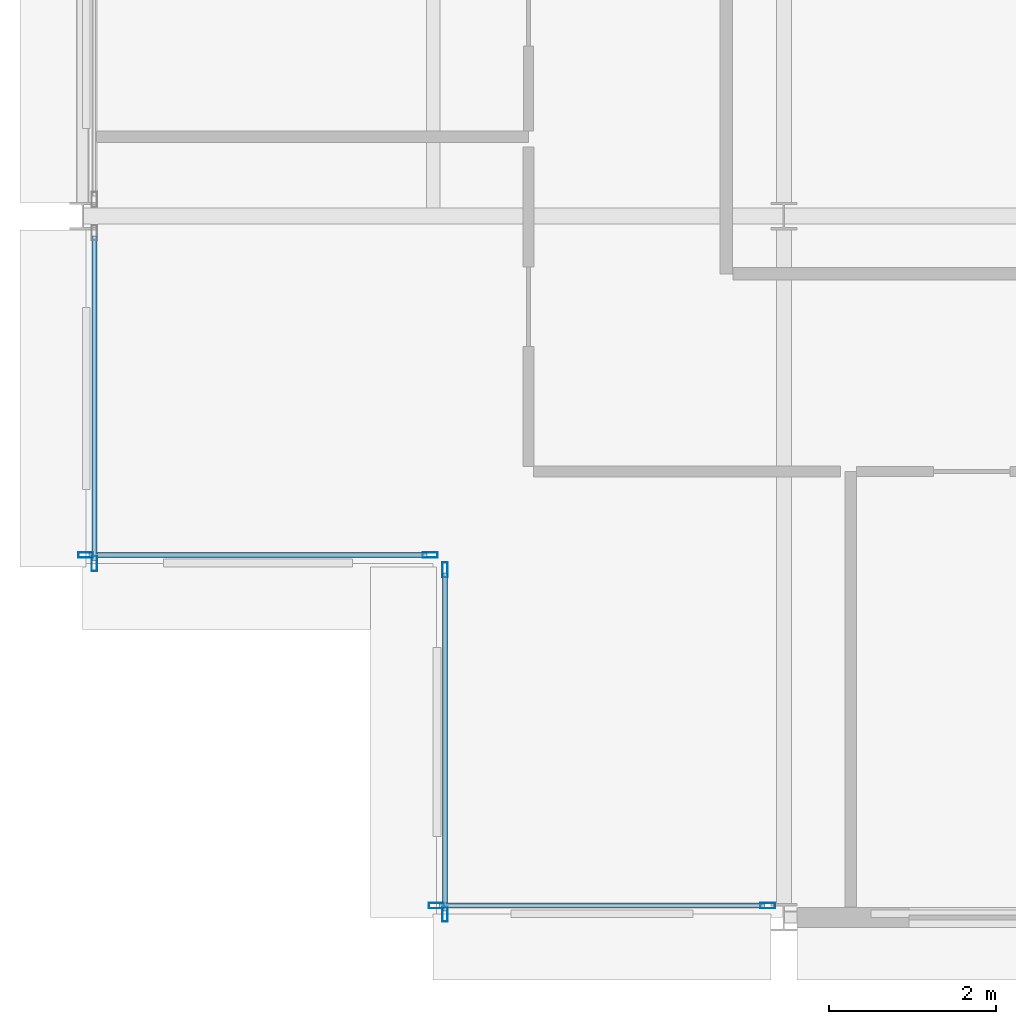
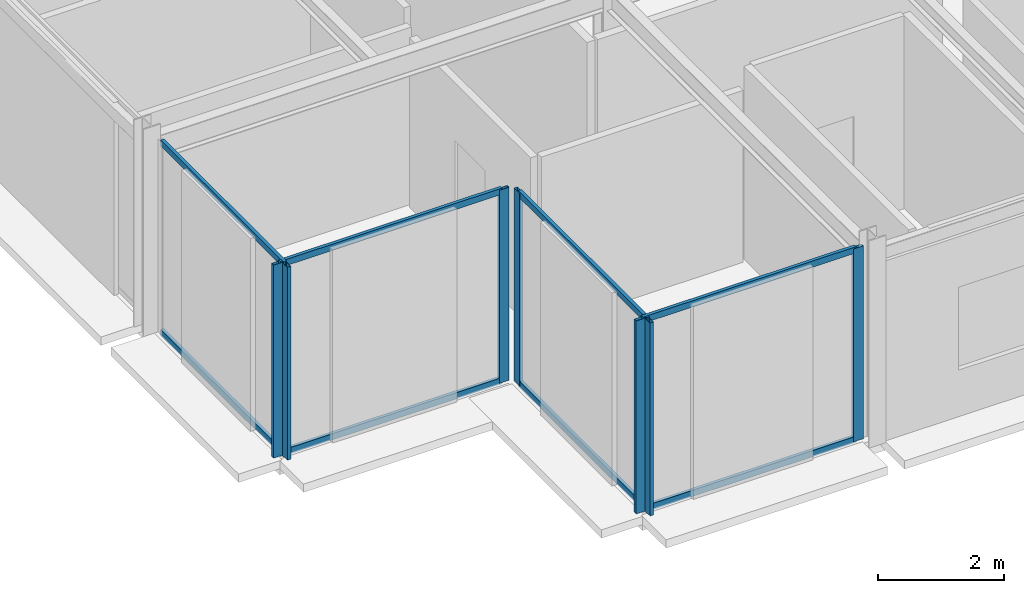
# One storey, part 3 of 27: 15 members, 4 elements without a shape of their own.
"""IFC4 building model written with IfcOpenShell, lengths in metres."""

import ifcopenshell
import ifcopenshell.guid

model = None  # the IFC model being written
_history = None  # IfcOwnerHistory: only IFC2X3 demands one
_inside = {}  # id of a spatial element -> (the spatial element, [elements in it])
_under = {}  # id of a project, library or spatial element -> (it, [spatial elements below it])
_declared = {}  # id of a project -> (the project, [libraries it declares])
_typed = {}  # id of a type object -> (the type object, [elements of that type])
_made_of = {}  # id of a material, layer set ... -> (it, [elements and type objects made of it])


def new_model(schema):
    """Start an empty IFC model of exactly this schema.

    Asked for "IFC4X3", IfcOpenShell would pick the latest addendum, in which some entities
    have other attributes; the version numbers below select the first issue.
    IFC2X3 requires an IfcOwnerHistory on every rooted entity: one is made here for all.
    """
    global model, _history
    if schema == "IFC4X3":
        model = ifcopenshell.file(schema_version=(4, 3, 0, 0))
    else:
        model = ifcopenshell.file(schema=schema)
    _inside.clear()
    _under.clear()
    _declared.clear()
    _typed.clear()
    _made_of.clear()
    _history = None
    if model.schema == "IFC2X3":
        org = make("IfcOrganization", Name="unknown")
        user = make(
            "IfcPersonAndOrganization",
            ThePerson=make("IfcPerson", FamilyName="unknown"),
            TheOrganization=org,
        )
        app = make(
            "IfcApplication",
            ApplicationDeveloper=org,
            Version="unknown",
            ApplicationFullName="unknown",
            ApplicationIdentifier="unknown",
        )
        _history = make(
            "IfcOwnerHistory",
            OwningUser=user,
            OwningApplication=app,
            ChangeAction="ADDED",
            CreationDate=0,
        )
    return model


def make(cls, **values):
    """One entity of the class cls with the attributes given. An attribute that is None is left unset."""
    return model.create_entity(
        cls, **{name: value for name, value in values.items() if value is not None}
    )


def rooted(cls, **values):
    """An entity with a GlobalId (a new one), such as an element, a storey or a relation."""
    return make(cls, GlobalId=ifcopenshell.guid.new(), OwnerHistory=_history, **values)


def si_unit(unit_type, name, prefix=None):
    """IfcSIUnit, for example si_unit("LENGTHUNIT", "METRE", prefix="MILLI")."""
    return make("IfcSIUnit", UnitType=unit_type, Prefix=prefix, Name=name)


def assignment(units):
    """IfcUnitAssignment: the units of a project."""
    return None if units is None else make("IfcUnitAssignment", Units=units)


def point(xyz):
    """IfcCartesianPoint."""
    return None if xyz is None else make("IfcCartesianPoint", Coordinates=xyz)


def direction(xyz):
    """IfcDirection."""
    return None if xyz is None else make("IfcDirection", DirectionRatios=xyz)


def frame(location, z_axis=None, x_axis=None):
    """IfcAxis2Placement3D, a coordinate frame: its origin and axes. An axis left out is left unset."""
    return make(
        "IfcAxis2Placement3D",
        Location=point(location),
        Axis=direction(z_axis),
        RefDirection=direction(x_axis),
    )


def frame_2d(location, x_axis=None):
    """IfcAxis2Placement2D, a coordinate frame in the plane: its origin and x axis."""
    return make(
        "IfcAxis2Placement2D", Location=point(location), RefDirection=direction(x_axis)
    )


def origin():
    """The frame at (0, 0, 0) with its axes left unset."""
    return frame((0.0, 0.0, 0.0))


def origin_2d():
    """The frame at (0, 0) in the plane with its x axis left unset."""
    return frame_2d((0.0, 0.0))


def place(relative_to, where):
    """IfcLocalPlacement: puts the frame where relative to a parent placement (None: the world)."""
    return make(
        "IfcLocalPlacement", PlacementRelTo=relative_to, RelativePlacement=where
    )


def context(
    kind, dimensions, precision=None, world=None, true_north=None, identifier=None
):
    """IfcGeometricRepresentationContext, for example the 3D "Model" context."""
    return make(
        "IfcGeometricRepresentationContext",
        ContextIdentifier=identifier,
        ContextType=kind,
        CoordinateSpaceDimension=dimensions,
        Precision=precision,
        WorldCoordinateSystem=world,
        TrueNorth=true_north,
    )


def subcontext(parent, identifier, kind, view, scale=None):
    """IfcGeometricRepresentationSubContext, for example "Body" below "Model"."""
    return make(
        "IfcGeometricRepresentationSubContext",
        ContextIdentifier=identifier,
        ContextType=kind,
        ParentContext=parent,
        TargetScale=scale,
        TargetView=view,
    )


def project(units=None, contexts=None):
    """IfcProject with its units and contexts."""
    return rooted(
        "IfcProject",
        Name="project",
        RepresentationContexts=contexts,
        UnitsInContext=assignment(units),
    )


def spatial(cls, under=None, at=None, **own):
    """A site, building, storey or space (cls), placed at a placement, below another one or the project."""
    s = rooted(cls, ObjectPlacement=at, **own)
    if under is not None:
        _under.setdefault(under.id(), (under, []))[1].append(s)
    return s


def profile(cls, at=None, kind="AREA", **sizes):
    """A parametric profile (cls). Its sizes go by their IFC names, for example OverallWidth=200.0."""
    return make(cls, ProfileType=kind, Position=at, **sizes)


def hollow_rectangle(**sizes):
    """IfcRectangleHollowProfileDef."""
    return profile("IfcRectangleHollowProfileDef", **sizes)


def extrude(swept, where, along, depth):
    """IfcExtrudedAreaSolid: the profile swept, set in the frame where, extruded along a direction by depth."""
    return make(
        "IfcExtrudedAreaSolid",
        SweptArea=swept,
        Position=where,
        ExtrudedDirection=direction(along),
        Depth=depth,
    )


def shape(context_of_items, identifier, shape_type, items):
    """IfcShapeRepresentation: the items that make up one representation, for example the "Body"."""
    return make(
        "IfcShapeRepresentation",
        ContextOfItems=context_of_items,
        RepresentationIdentifier=identifier,
        RepresentationType=shape_type,
        Items=items,
    )


def material(Name=None, Category=None):
    """IfcMaterial."""
    return make("IfcMaterial", Name=Name, Category=Category)


def layer(
    of_material, thickness, ventilated=None, Name=None, Category=None, Priority=None
):
    """IfcMaterialLayer: one layer of a wall or slab, of a material (None: an air gap)."""
    return make(
        "IfcMaterialLayer",
        Material=of_material,
        LayerThickness=thickness,
        IsVentilated=ventilated,
        Name=Name,
        Category=Category,
        Priority=Priority,
    )


def layer_set(layers, Name=None):
    """IfcMaterialLayerSet."""
    return make("IfcMaterialLayerSet", MaterialLayers=layers, LayerSetName=Name)


def material_profile(
    of_material, cross_section, Name=None, Category=None, Priority=None
):
    """IfcMaterialProfile: a cross section and its material."""
    return make(
        "IfcMaterialProfile",
        Name=Name,
        Material=of_material,
        Profile=cross_section,
        Priority=Priority,
        Category=Category,
    )


def profile_set(profiles, Name=None, composite=None):
    """IfcMaterialProfileSet."""
    return make(
        "IfcMaterialProfileSet",
        Name=Name,
        MaterialProfiles=profiles,
        CompositeProfile=composite,
    )


def made_of(thing, what):
    """Note that an element or type object is made of a material, layer set ...; save() writes the relation."""
    if what is not None:
        _made_of.setdefault(what.id(), (what, []))[1].append(thing)
    return thing


def type_object(cls, material=None, **own):
    """A type object (cls), such as IfcWallType, which elements share."""
    return made_of(rooted(cls, **own), material)


def element(
    cls,
    number,
    at=None,
    inside=None,
    cuts=None,
    type_object=None,
    material=None,
    context=None,
    identifier="Body",
    shape_type=None,
    held_by="IfcProductDefinitionShape",
    body=None,
    shapes=None,
    **own,
):
    """One element of the class cls, such as IfcWall. Its Tag is "e" and its number.

    at: its placement. inside: the storey or other place that contains it. cuts: it is an
    opening in that element (IfcRelVoidsElement). A single representation is given by context,
    identifier, shape_type and body (its items); several are given by shapes. held_by: the class
    of the entity that holds the representations. save() writes the other relations.
    """
    e = rooted(cls, Tag="e%d" % number, ObjectPlacement=at, **own)
    if body is not None:
        shapes = [shape(context, identifier, shape_type, body)]
    if shapes is not None:
        e.Representation = make(held_by, Representations=shapes)
    if inside is not None:
        _inside.setdefault(inside.id(), (inside, []))[1].append(e)
    if cuts is not None:
        rooted(
            "IfcRelVoidsElement", RelatingBuildingElement=cuts, RelatedOpeningElement=e
        )
    if type_object is not None:
        _typed.setdefault(type_object.id(), (type_object, []))[1].append(e)
    return made_of(e, material)


def aggregate(whole, parts):
    """IfcRelAggregates: a whole, such as a stair, and the parts it consists of."""
    return rooted("IfcRelAggregates", RelatingObject=whole, RelatedObjects=parts)


def save(model, path):
    """Write the relations noted so far, then the file.

    IfcRelAggregates (storeys below a building ...), IfcRelContainedInSpatialStructure (elements
    in a storey), IfcRelDefinesByType, IfcRelAssociatesMaterial and IfcRelDeclares: one each for
    every whole, place, type object, material and project.
    """
    for whole, parts in _under.values():
        aggregate(whole, parts)
    for where, things in _inside.values():
        rooted(
            "IfcRelContainedInSpatialStructure",
            RelatedElements=things,
            RelatingStructure=where,
        )
    for kind, things in _typed.values():
        rooted("IfcRelDefinesByType", RelatedObjects=things, RelatingType=kind)
    for what, things in _made_of.values():
        rooted("IfcRelAssociatesMaterial", RelatedObjects=things, RelatingMaterial=what)
    for by, libraries in _declared.values():
        rooted("IfcRelDeclares", RelatingContext=by, RelatedDefinitions=libraries)
    model.write(path)


model = new_model("IFC4")

# Units and contexts
model_context = context("Model", 3, precision=1e-05, world=origin(), true_north=direction((0.0, 1.0)))
body_context = subcontext(model_context, "Body", "Model", "MODEL_VIEW")
ifc_project = project(units=[si_unit("LENGTHUNIT", "METRE"), si_unit("AREAUNIT", "SQUARE_METRE"), si_unit("VOLUMEUNIT", "CUBIC_METRE"), si_unit("PLANEANGLEUNIT", "RADIAN"), si_unit("MASSUNIT", "GRAM", prefix="KILO")], contexts=[model_context])

# Site, building, storey
site_placement = place(None, origin())
site = spatial("IfcSite", under=ifc_project, at=site_placement, CompositionType="ELEMENT")
building_placement = place(site_placement, origin())
building = spatial("IfcBuilding", under=site, at=building_placement, Name="Nerrivon Quay Data Exchange", CompositionType="ELEMENT")
storey_placement = place(building_placement, frame((0.0, 0.0, 278.199951171875)))
storey = spatial("IfcBuildingStorey", under=building, at=storey_placement, Name="L66", CompositionType="ELEMENT", Elevation=278.199951171875)

# Curtain wall, members
ifc_material = material(Name="Anodised aluminium 6063-T6", Category="aluminium")
ifc_layer = layer(ifc_material, 0.195068359375)
ifc_layer_set = layer_set([ifc_layer], Name="Anodised aluminium 6063-T6")
curtain_wall_type = type_object("IfcCurtainWallType", Name="CW-SYS-06", PredefinedType="NOTDEFINED", material=ifc_layer_set)
curtain_wall_1_placement = place(storey_placement, origin())
curtain_wall_1 = element("IfcCurtainWall", 1, at=curtain_wall_1_placement, inside=storey, type_object=curtain_wall_type, Name="L66 Unitised Curtain Wall 8", PredefinedType="NOTDEFINED")
ifc_material_profile_1 = material_profile(ifc_material, hollow_rectangle(XDim=0.06494140625, YDim=0.179931640625, WallThickness=0.00341796875, at=origin_2d()), Name="ALU-MULL-180x65")
ifc_profile_set_1 = profile_set([ifc_material_profile_1], Name="Anodised aluminium 6063-T6")
member_type_1 = type_object("IfcMemberType", Name="CWM-180x65", PredefinedType="MULLION", material=ifc_profile_set_1)
member_1_placement = place(storey_placement, frame((8.20703125, 0.139892578125, 0.0), z_axis=(0.0, 0.0, 1.0), x_axis=(0.0, -1.0, 0.0)))
member_1 = element("IfcMember", 2, at=member_1_placement, type_object=member_type_1, Name="CW06 mullion 1", PredefinedType="MULLION", context=body_context, shape_type="SweptSolid", body=[
    extrude(hollow_rectangle(XDim=0.06494140625, YDim=0.179931640625, WallThickness=0.00341796875, at=origin_2d()), origin(), (0.0, 0.0, 1.0), 3.72509765625),
])
member_2_placement = place(storey_placement, frame((4.237548828125, 0.139892578125, 0.0), z_axis=(0.0, 0.0, 1.0), x_axis=(0.0, -1.0, 0.0)))
member_2 = element("IfcMember", 3, at=member_2_placement, type_object=member_type_1, Name="CW06 mullion 2", PredefinedType="MULLION", context=body_context, shape_type="SweptSolid", body=[
    extrude(hollow_rectangle(XDim=0.06494140625, YDim=0.179931640625, WallThickness=0.00341796875, at=origin_2d()), origin(), (0.0, 0.0, 1.0), 3.72509765625),
])

curtain_wall_2_placement = place(storey_placement, origin())
curtain_wall_2 = element("IfcCurtainWall", 4, at=curtain_wall_2_placement, inside=storey, type_object=curtain_wall_type, Name="L66 Unitised Curtain Wall 9", PredefinedType="NOTDEFINED")
member_3_placement = place(storey_placement, frame((4.340087890625, 0.03759765625, 0.0), z_axis=(0.0, 0.0, 1.0), x_axis=(-1.0, 0.0, 0.0)))
member_3 = element("IfcMember", 5, at=member_3_placement, type_object=member_type_1, Name="CW06 mullion 1", PredefinedType="MULLION", context=body_context, shape_type="SweptSolid", body=[
    extrude(hollow_rectangle(XDim=0.06494140625, YDim=0.179931640625, WallThickness=0.00341796875, at=origin_2d()), origin(), (0.0, 0.0, 1.0), 3.72509765625),
])
member_4_placement = place(storey_placement, frame((4.340087890625, 4.16259765625, 0.0), z_axis=(0.0, 0.0, 1.0), x_axis=(-1.0, 0.0, 0.0)))
member_4 = element("IfcMember", 6, at=member_4_placement, type_object=member_type_1, Name="CW06 mullion 2", PredefinedType="MULLION", context=body_context, shape_type="SweptSolid", body=[
    extrude(hollow_rectangle(XDim=0.06494140625, YDim=0.179931640625, WallThickness=0.00341796875, at=origin_2d()), origin(), (0.0, 0.0, 1.0), 3.72509765625),
])

curtain_wall_3_placement = place(storey_placement, origin())
curtain_wall_3 = element("IfcCurtainWall", 7, at=curtain_wall_3_placement, inside=storey, type_object=curtain_wall_type, Name="L66 Unitised Curtain Wall 10", PredefinedType="NOTDEFINED")
member_5_placement = place(storey_placement, frame((4.16259765625, 4.340087890625, 0.0), z_axis=(0.0, 0.0, 1.0), x_axis=(0.0, -1.0, 0.0)))
member_5 = element("IfcMember", 8, at=member_5_placement, type_object=member_type_1, Name="CW06 mullion 1", PredefinedType="MULLION", context=body_context, shape_type="SweptSolid", body=[
    extrude(hollow_rectangle(XDim=0.06494140625, YDim=0.179931640625, WallThickness=0.00341796875, at=origin_2d()), origin(), (0.0, 0.0, 1.0), 3.72509765625),
])
member_6_placement = place(storey_placement, frame((0.03759765625, 4.340087890625, 0.0), z_axis=(0.0, 0.0, 1.0), x_axis=(0.0, -1.0, 0.0)))
member_6 = element("IfcMember", 9, at=member_6_placement, type_object=member_type_1, Name="CW06 mullion 2", PredefinedType="MULLION", context=body_context, shape_type="SweptSolid", body=[
    extrude(hollow_rectangle(XDim=0.06494140625, YDim=0.179931640625, WallThickness=0.00341796875, at=origin_2d()), origin(), (0.0, 0.0, 1.0), 3.72509765625),
])

# Curtain wall, member
curtain_wall_4_placement = place(storey_placement, origin())
curtain_wall_4 = element("IfcCurtainWall", 10, at=curtain_wall_4_placement, inside=storey, type_object=curtain_wall_type, Name="L66 Unitised Curtain Wall 11", PredefinedType="NOTDEFINED")
member_7_placement = place(storey_placement, frame((0.139892578125, 4.237548828125, 0.0), z_axis=(0.0, 0.0, 1.0), x_axis=(-1.0, 0.0, 0.0)))
member_7 = element("IfcMember", 11, at=member_7_placement, type_object=member_type_1, Name="CW06 mullion 1", PredefinedType="MULLION", context=body_context, shape_type="SweptSolid", body=[
    extrude(hollow_rectangle(XDim=0.06494140625, YDim=0.179931640625, WallThickness=0.00341796875, at=origin_2d()), origin(), (0.0, 0.0, 1.0), 3.72509765625),
])

# Member
ifc_material_profile_2 = material_profile(ifc_material, hollow_rectangle(XDim=0.06005859375, YDim=0.1201171875, WallThickness=0.003173828125, at=origin_2d()), Name="ALU-TRAN-120x60")
ifc_profile_set_2 = profile_set([ifc_material_profile_2], Name="Anodised aluminium 6063-T6")
member_type_2 = type_object("IfcMemberType", Name="CWT-120x60", PredefinedType="USERDEFINED", material=ifc_profile_set_2)
member_8_placement = place(storey_placement, frame((8.16943359375, 0.139892578125, 0.032470703125), z_axis=(-1.0, 0.0, 0.0), x_axis=(0.0, -1.0, 0.0)))
member_8 = element("IfcMember", 12, at=member_8_placement, type_object=member_type_2, Name="CW06 transom 1.1", ObjectType="TRANSOM", PredefinedType="USERDEFINED", context=body_context, shape_type="SweptSolid", body=[
    extrude(hollow_rectangle(XDim=0.06005859375, YDim=0.1201171875, WallThickness=0.003173828125, at=origin_2d()), origin(), (0.0, 0.0, 1.0), 3.89453125),
])

member_9_placement = place(storey_placement, frame((8.16943359375, 0.139892578125, 3.692626953125), z_axis=(-1.0, 0.0, 0.0), x_axis=(0.0, -1.0, 0.0)))
member_9 = element("IfcMember", 13, at=member_9_placement, type_object=member_type_2, Name="CW06 transom 1.2", ObjectType="TRANSOM", PredefinedType="USERDEFINED", context=body_context, shape_type="SweptSolid", body=[
    extrude(hollow_rectangle(XDim=0.06005859375, YDim=0.1201171875, WallThickness=0.003173828125, at=origin_2d()), origin(), (0.0, 0.0, 1.0), 3.89453125),
])

aggregate(curtain_wall_1, [member_1, member_2, member_8, member_9])

member_10_placement = place(storey_placement, frame((4.340087890625, 0.074951171875, 0.032470703125), z_axis=(0.0, 1.0, 0.0), x_axis=(-1.0, 0.0, 0.0)))
member_10 = element("IfcMember", 14, at=member_10_placement, type_object=member_type_2, Name="CW06 transom 1.1", ObjectType="TRANSOM", PredefinedType="USERDEFINED", context=body_context, shape_type="SweptSolid", body=[
    extrude(hollow_rectangle(XDim=0.06005859375, YDim=0.1201171875, WallThickness=0.003173828125, at=origin_2d()), origin(), (0.0, 0.0, 1.0), 4.050048828125),
])

member_11_placement = place(storey_placement, frame((4.340087890625, 0.074951171875, 3.692626953125), z_axis=(0.0, 1.0, 0.0), x_axis=(-1.0, 0.0, 0.0)))
member_11 = element("IfcMember", 15, at=member_11_placement, type_object=member_type_2, Name="CW06 transom 1.2", ObjectType="TRANSOM", PredefinedType="USERDEFINED", context=body_context, shape_type="SweptSolid", body=[
    extrude(hollow_rectangle(XDim=0.06005859375, YDim=0.1201171875, WallThickness=0.003173828125, at=origin_2d()), origin(), (0.0, 0.0, 1.0), 4.050048828125),
])

aggregate(curtain_wall_2, [member_3, member_4, member_10, member_11])

member_12_placement = place(storey_placement, frame((4.125, 4.340087890625, 0.032470703125), z_axis=(-1.0, 0.0, 0.0), x_axis=(0.0, -1.0, 0.0)))
member_12 = element("IfcMember", 16, at=member_12_placement, type_object=member_type_2, Name="CW06 transom 1.1", ObjectType="TRANSOM", PredefinedType="USERDEFINED", context=body_context, shape_type="SweptSolid", body=[
    extrude(hollow_rectangle(XDim=0.06005859375, YDim=0.1201171875, WallThickness=0.003173828125, at=origin_2d()), origin(), (0.0, 0.0, 1.0), 4.050048828125),
])

member_13_placement = place(storey_placement, frame((4.125, 4.340087890625, 3.692626953125), z_axis=(-1.0, 0.0, 0.0), x_axis=(0.0, -1.0, 0.0)))
member_13 = element("IfcMember", 17, at=member_13_placement, type_object=member_type_2, Name="CW06 transom 1.2", ObjectType="TRANSOM", PredefinedType="USERDEFINED", context=body_context, shape_type="SweptSolid", body=[
    extrude(hollow_rectangle(XDim=0.06005859375, YDim=0.1201171875, WallThickness=0.003173828125, at=origin_2d()), origin(), (0.0, 0.0, 1.0), 4.050048828125),
])

aggregate(curtain_wall_3, [member_5, member_6, member_12, member_13])

member_14_placement = place(storey_placement, frame((0.139892578125, 4.27490234375, 0.032470703125), z_axis=(0.0, 1.0, 0.0), x_axis=(-1.0, 0.0, 0.0)))
member_14 = element("IfcMember", 18, at=member_14_placement, type_object=member_type_2, Name="CW06 transom 1.1", ObjectType="TRANSOM", PredefinedType="USERDEFINED", context=body_context, shape_type="SweptSolid", body=[
    extrude(hollow_rectangle(XDim=0.06005859375, YDim=0.1201171875, WallThickness=0.003173828125, at=origin_2d()), origin(), (0.0, 0.0, 1.0), 3.88671875),
])

member_15_placement = place(storey_placement, frame((0.139892578125, 4.27490234375, 3.692626953125), z_axis=(0.0, 1.0, 0.0), x_axis=(-1.0, 0.0, 0.0)))
member_15 = element("IfcMember", 19, at=member_15_placement, type_object=member_type_2, Name="CW06 transom 1.2", ObjectType="TRANSOM", PredefinedType="USERDEFINED", context=body_context, shape_type="SweptSolid", body=[
    extrude(hollow_rectangle(XDim=0.06005859375, YDim=0.1201171875, WallThickness=0.003173828125, at=origin_2d()), origin(), (0.0, 0.0, 1.0), 3.88671875),
])

aggregate(curtain_wall_4, [member_7, member_14, member_15])

save(model, "model.ifc")
